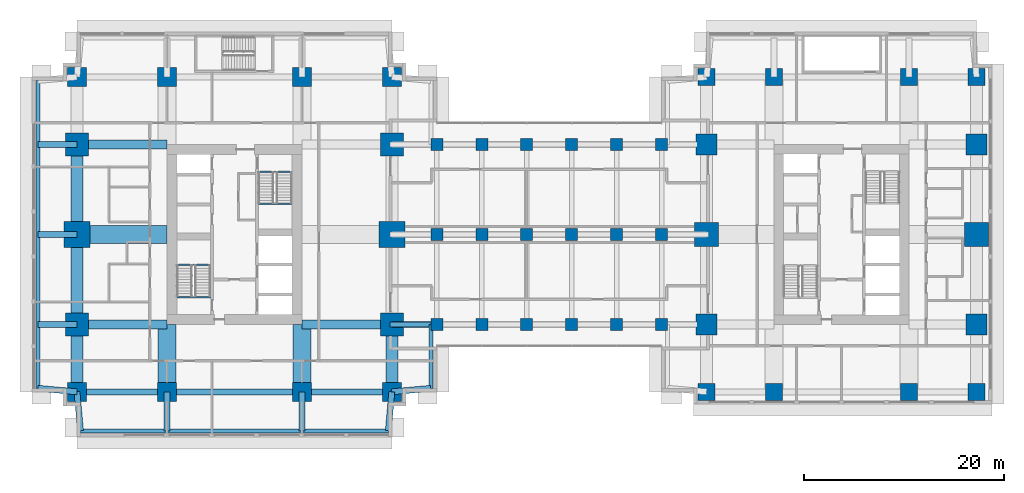
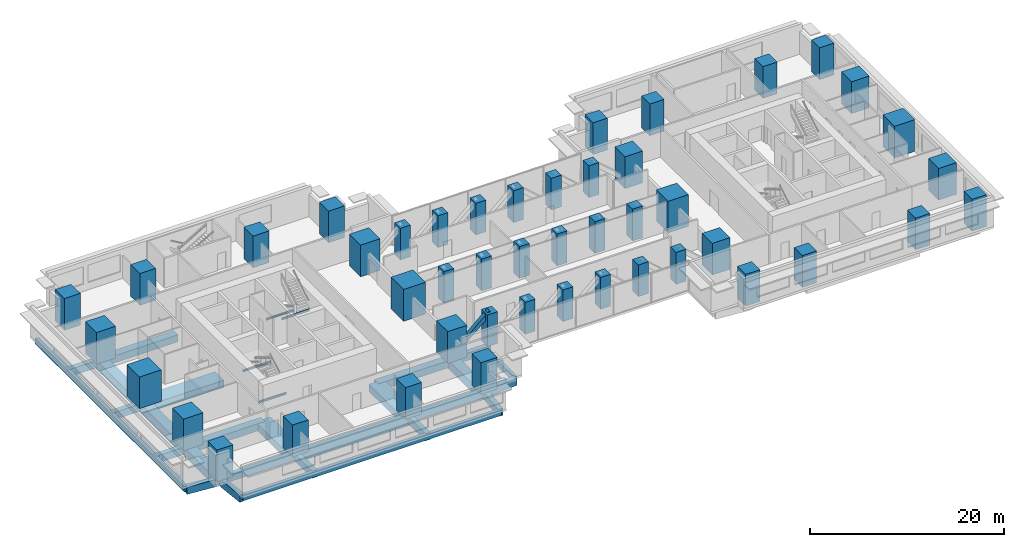
# One storey, part 1 of 14: 46 columns, 30 beams, 1 member.
"""IFC4 building model written with IfcOpenShell, lengths in metres."""

from ifc_helpers import new_model, si_unit, direction, frame, origin, origin_2d, place, context, subcontext, project, spatial, rectangle, hollow_rectangle, i_section, extrude, material, material_profile, profile_set, type_object, element, save


model = new_model("IFC4")

# Units and contexts
model_context = context("Model", 3, precision=1e-05, world=origin(), true_north=direction((0.0, 1.0)))
body_context = subcontext(model_context, "Body", "Model", "MODEL_VIEW")
ifc_project = project(units=[si_unit("LENGTHUNIT", "METRE"), si_unit("AREAUNIT", "SQUARE_METRE"), si_unit("VOLUMEUNIT", "CUBIC_METRE"), si_unit("PLANEANGLEUNIT", "RADIAN"), si_unit("MASSUNIT", "GRAM", prefix="KILO")], contexts=[model_context])

# Site, building, storey
site_placement = place(None, origin())
site = spatial("IfcSite", under=ifc_project, at=site_placement, CompositionType="ELEMENT")
building_placement = place(site_placement, origin())
building = spatial("IfcBuilding", under=site, at=building_placement, Name="Namib Vertical Campus", CompositionType="ELEMENT")
storey_placement = place(building_placement, frame((0.0, 0.0, 133.0)))
storey = spatial("IfcBuildingStorey", under=building, at=storey_placement, Name="L31", CompositionType="ELEMENT", Elevation=133.0)

# Columns
ifc_material_1 = material(Name="Concrete C60/75", Category="concrete")
ifc_material_profile_1 = material_profile(ifc_material_1, rectangle(XDim=1.199951171875, YDim=1.199951171875, at=origin_2d()))
ifc_profile_set_1 = profile_set([ifc_material_profile_1], Name="Concrete C60/75")
column_type_1 = type_object("IfcColumnType", Name="Bridge column RC 1200x1200", PredefinedType="COLUMN", material=ifc_profile_set_1)
for number, where, z_axis, x_axis, name in (
    (1, (40.5, 11.25, 0.0), (0.0, 0.0, 1.0), (1.0, 0.0, 0.0), "Column BC6 L31"),
    (2, (45.0, 11.25, 0.0), (0.0, 0.0, 1.0), (1.0, 0.0, 0.0), "Column BC6 L31"),
    (3, (49.5, 11.25, 0.0), (0.0, 0.0, 1.0), (1.0, 0.0, 0.0), "Column BC6 L31"),
    (4, (54.0, 11.25, 0.0), (0.0, 0.0, 1.0), (1.0, 0.0, 0.0), "Column BC6 L31"),
    (5, (58.5, 11.25, 0.0), (0.0, 0.0, 1.0), (1.0, 0.0, 0.0), "Column BC6 L31"),
    (6, (63.0, 11.25, 0.0), (0.0, 0.0, 1.0), (1.0, 0.0, 0.0), "Column BC6 L31"),
    (7, (40.5, 20.25, 0.0), (0.0, 0.0, 1.0), (1.0, 0.0, 0.0), "Column BC6 L31"),
    (8, (45.0, 20.25, 0.0), (0.0, 0.0, 1.0), (1.0, 0.0, 0.0), "Column BC6 L31"),
    (9, (49.5, 20.25, 0.0), (0.0, 0.0, 1.0), (1.0, 0.0, 0.0), "Column BC6 L31"),
    (10, (54.0, 20.25, 0.0), (0.0, 0.0, 1.0), (1.0, 0.0, 0.0), "Column BC6 L31"),
    (11, (58.5, 20.25, 0.0), (0.0, 0.0, 1.0), (1.0, 0.0, 0.0), "Column BC6 L31"),
    (12, (63.0, 20.25, 0.0), (0.0, 0.0, 1.0), (1.0, 0.0, 0.0), "Column BC6 L31"),
    (13, (40.5, 29.25, 0.0), (0.0, 0.0, 1.0), (1.0, 0.0, 0.0), "Column BC6 L31"),
    (14, (45.0, 29.25, 0.0), (0.0, 0.0, 1.0), (1.0, 0.0, 0.0), "Column BC6 L31"),
    (15, (49.5, 29.25, 0.0), (0.0, 0.0, 1.0), (1.0, 0.0, 0.0), "Column BC6 L31"),
    (16, (54.0, 29.25, 0.0), (0.0, 0.0, 1.0), (1.0, 0.0, 0.0), "Column BC6 L31"),
    (17, (58.5, 29.25, 0.0), (0.0, 0.0, 1.0), (1.0, 0.0, 0.0), "Column BC6 L31"),
    (18, (63.0, 29.25, 0.0), (0.0, 0.0, 1.0), (1.0, 0.0, 0.0), "Column BC6 L31"),
):
    element("IfcColumn", number, at=place(storey_placement, frame(where, z_axis=z_axis, x_axis=x_axis)), inside=storey, type_object=column_type_1, Name=name, PredefinedType="COLUMN", context=body_context, shape_type="SweptSolid", body=[
        extrude(rectangle(XDim=1.199951171875, YDim=1.199951171875, at=origin_2d()), origin(), (0.0, 0.0, 1.0), 4.0),
    ])
ifc_material_2 = material(Name="Concrete C60/75", Category="concrete")
ifc_material_profile_2 = material_profile(ifc_material_2, rectangle(XDim=1.699951171875, YDim=1.699951171875, at=origin_2d()))
ifc_profile_set_2 = profile_set([ifc_material_profile_2], Name="Concrete C60/75")
column_type_2 = type_object("IfcColumnType", Name="Column RC 1700x1700", PredefinedType="COLUMN", material=ifc_profile_set_2)
for number, where, z_axis, x_axis, name in (
    (19, (67.5, 4.5, 0.0), (0.0, 0.0, 1.0), (1.0, 0.0, 0.0), "Column C170 L31"),
    (20, (74.25, 4.5, 0.0), (0.0, 0.0, 1.0), (1.0, 0.0, 0.0), "Column C170 L31"),
    (21, (87.75, 4.5, 0.0), (0.0, 0.0, 1.0), (1.0, 0.0, 0.0), "Column C170 L31"),
    (22, (94.5, 4.5, 0.0), (0.0, 0.0, 1.0), (1.0, 0.0, 0.0), "Column C170 L31"),
    (23, (67.5, 36.0, 0.0), (0.0, 0.0, 1.0), (1.0, 0.0, 0.0), "Column C170 L31"),
    (24, (74.25, 36.0, 0.0), (0.0, 0.0, 1.0), (1.0, 0.0, 0.0), "Column C170 L31"),
    (25, (87.75, 36.0, 0.0), (0.0, 0.0, 1.0), (1.0, 0.0, 0.0), "Column C170 L31"),
    (26, (94.5, 36.0, 0.0), (0.0, 0.0, 1.0), (1.0, 0.0, 0.0), "Column C170 L31"),
):
    element("IfcColumn", number, at=place(storey_placement, frame(where, z_axis=z_axis, x_axis=x_axis)), inside=storey, type_object=column_type_2, Name=name, PredefinedType="COLUMN", context=body_context, shape_type="SweptSolid", body=[
        extrude(rectangle(XDim=1.699951171875, YDim=1.699951171875, at=origin_2d()), origin(), (0.0, 0.0, 1.0), 4.0),
    ])
ifc_material_3 = material(Name="Concrete C60/75", Category="concrete")
ifc_material_profile_3 = material_profile(ifc_material_3, rectangle(XDim=1.89990234375, YDim=1.89990234375, at=origin_2d()))
ifc_profile_set_3 = profile_set([ifc_material_profile_3], Name="Concrete C60/75")
column_type_3 = type_object("IfcColumnType", Name="Column RC 1900x1900", PredefinedType="COLUMN", material=ifc_profile_set_3)
for number, where, z_axis, x_axis, name in (
    (27, (4.5, 4.5, 0.0), (0.0, 0.0, 1.0), (1.0, 0.0, 0.0), "Column C190 L31"),
    (28, (13.5, 4.5, 0.0), (0.0, 0.0, 1.0), (1.0, 0.0, 0.0), "Column C190 L31"),
    (29, (27.0, 4.5, 0.0), (0.0, 0.0, 1.0), (1.0, 0.0, 0.0), "Column C190 L31"),
    (30, (36.0, 4.5, 0.0), (0.0, 0.0, 1.0), (1.0, 0.0, 0.0), "Column C190 L31"),
    (31, (4.5, 36.0, 0.0), (0.0, 0.0, 1.0), (1.0, 0.0, 0.0), "Column C190 L31"),
    (32, (13.5, 36.0, 0.0), (0.0, 0.0, 1.0), (1.0, 0.0, 0.0), "Column C190 L31"),
    (33, (27.0, 36.0, 0.0), (0.0, 0.0, 1.0), (1.0, 0.0, 0.0), "Column C190 L31"),
    (34, (36.0, 36.0, 0.0), (0.0, 0.0, 1.0), (1.0, 0.0, 0.0), "Column C190 L31"),
):
    element("IfcColumn", number, at=place(storey_placement, frame(where, z_axis=z_axis, x_axis=x_axis)), inside=storey, type_object=column_type_3, Name=name, PredefinedType="COLUMN", context=body_context, shape_type="SweptSolid", body=[
        extrude(rectangle(XDim=1.89990234375, YDim=1.89990234375, at=origin_2d()), origin(), (0.0, 0.0, 1.0), 4.0),
    ])
ifc_material_4 = material(Name="Concrete C60/75", Category="concrete")
ifc_material_profile_4 = material_profile(ifc_material_4, rectangle(XDim=2.10009765625, YDim=2.10009765625, at=origin_2d()))
ifc_profile_set_4 = profile_set([ifc_material_profile_4], Name="Concrete C60/75")
column_type_4 = type_object("IfcColumnType", Name="Column RC 2100x2100", PredefinedType="COLUMN", material=ifc_profile_set_4)
for number, where, z_axis, x_axis, name in (
    (35, (67.5, 11.25, 0.0), (0.0, 0.0, 1.0), (1.0, 0.0, 0.0), "Column C210 L31"),
    (36, (94.5, 11.25, 0.0), (0.0, 0.0, 1.0), (1.0, 0.0, 0.0), "Column C210 L31"),
    (37, (67.5, 29.25, 0.0), (0.0, 0.0, 1.0), (1.0, 0.0, 0.0), "Column C210 L31"),
    (38, (94.5, 29.25, 0.0), (0.0, 0.0, 1.0), (1.0, 0.0, 0.0), "Column C210 L31"),
):
    element("IfcColumn", number, at=place(storey_placement, frame(where, z_axis=z_axis, x_axis=x_axis)), inside=storey, type_object=column_type_4, Name=name, PredefinedType="COLUMN", context=body_context, shape_type="SweptSolid", body=[
        extrude(rectangle(XDim=2.10009765625, YDim=2.10009765625, at=origin_2d()), origin(), (0.0, 0.0, 1.0), 4.0),
    ])
ifc_material_5 = material(Name="Concrete C60/75", Category="concrete")
ifc_material_profile_5 = material_profile(ifc_material_5, rectangle(XDim=2.300048828125, YDim=2.300048828125, at=origin_2d()))
ifc_profile_set_5 = profile_set([ifc_material_profile_5], Name="Concrete C60/75")
column_type_5 = type_object("IfcColumnType", Name="Column RC 2300x2300", PredefinedType="COLUMN", material=ifc_profile_set_5)
for number, where, z_axis, x_axis, name in (
    (39, (4.5, 11.25, 0.0), (0.0, 0.0, 1.0), (1.0, 0.0, 0.0), "Column C230 L31"),
    (40, (36.0, 11.25, 0.0), (0.0, 0.0, 1.0), (1.0, 0.0, 0.0), "Column C230 L31"),
    (41, (4.5, 29.25, 0.0), (0.0, 0.0, 1.0), (1.0, 0.0, 0.0), "Column C230 L31"),
    (42, (36.0, 29.25, 0.0), (0.0, 0.0, 1.0), (1.0, 0.0, 0.0), "Column C230 L31"),
):
    element("IfcColumn", number, at=place(storey_placement, frame(where, z_axis=z_axis, x_axis=x_axis)), inside=storey, type_object=column_type_5, Name=name, PredefinedType="COLUMN", context=body_context, shape_type="SweptSolid", body=[
        extrude(rectangle(XDim=2.300048828125, YDim=2.300048828125, at=origin_2d()), origin(), (0.0, 0.0, 1.0), 4.0),
    ])
ifc_material_6 = material(Name="Concrete C60/75", Category="concrete")
ifc_material_profile_6 = material_profile(ifc_material_6, rectangle(XDim=2.39990234375, YDim=2.39990234375, at=origin_2d()))
ifc_profile_set_6 = profile_set([ifc_material_profile_6], Name="Concrete C60/75")
column_type_6 = type_object("IfcColumnType", Name="Column RC 2400x2400", PredefinedType="COLUMN", material=ifc_profile_set_6)
for number, where, z_axis, x_axis, name in (
    (43, (67.5, 20.25, 0.0), (0.0, 0.0, 1.0), (1.0, 0.0, 0.0), "Column C240 L31"),
    (44, (94.5, 20.25, 0.0), (0.0, 0.0, 1.0), (1.0, 0.0, 0.0), "Column C240 L31"),
):
    element("IfcColumn", number, at=place(storey_placement, frame(where, z_axis=z_axis, x_axis=x_axis)), inside=storey, type_object=column_type_6, Name=name, PredefinedType="COLUMN", context=body_context, shape_type="SweptSolid", body=[
        extrude(rectangle(XDim=2.39990234375, YDim=2.39990234375, at=origin_2d()), origin(), (0.0, 0.0, 1.0), 4.0),
    ])
ifc_material_7 = material(Name="Concrete C60/75", Category="concrete")
ifc_material_profile_7 = material_profile(ifc_material_7, rectangle(XDim=2.60009765625, YDim=2.60009765625, at=origin_2d()))
ifc_profile_set_7 = profile_set([ifc_material_profile_7], Name="Concrete C60/75")
column_type_7 = type_object("IfcColumnType", Name="Column RC 2600x2600", PredefinedType="COLUMN", material=ifc_profile_set_7)
for number, where, z_axis, x_axis, name in (
    (45, (4.5, 20.25, 0.0), (0.0, 0.0, 1.0), (1.0, 0.0, 0.0), "Column C260 L31"),
    (46, (36.0, 20.25, 0.0), (0.0, 0.0, 1.0), (1.0, 0.0, 0.0), "Column C260 L31"),
):
    element("IfcColumn", number, at=place(storey_placement, frame(where, z_axis=z_axis, x_axis=x_axis)), inside=storey, type_object=column_type_7, Name=name, PredefinedType="COLUMN", context=body_context, shape_type="SweptSolid", body=[
        extrude(rectangle(XDim=2.60009765625, YDim=2.60009765625, at=origin_2d()), origin(), (0.0, 0.0, 1.0), 4.0),
    ])

# Member
ifc_material_8 = material(Name="Steel S355JR", Category="steel")
ifc_material_profile_8 = material_profile(ifc_material_8, hollow_rectangle(XDim=0.5, YDim=0.5, WallThickness=0.031982421875, at=origin_2d()))
ifc_profile_set_8 = profile_set([ifc_material_profile_8], Name="Steel S355JR")
member_type = type_object("IfcMemberType", Name="Bridge end brace WB 500x500x32", PredefinedType="BRACE", material=ifc_profile_set_8)
member_placement = place(storey_placement, frame((36.0, 11.25, 0.0), z_axis=(0.747409318684, 0.0, 0.66436383883), x_axis=(0.0, 1.0, 0.0)))
element("IfcMember", 47, at=member_placement, inside=storey, type_object=member_type, Name="Bridge brace BX1 L31 T1 bay 1", PredefinedType="BRACE", context=body_context, shape_type="SweptSolid", body=[
    extrude(hollow_rectangle(XDim=0.5, YDim=0.5, WallThickness=0.031982421875, at=origin_2d()), origin(), (0.0, 0.0, 1.0), 6.020751953125),
])

# Beams
ifc_material_9 = material(Name="Steel S355JR", Category="steel")
ifc_material_profile_9 = material_profile(ifc_material_9, hollow_rectangle(XDim=0.60009765625, YDim=0.89990234375, WallThickness=0.050048828125, at=origin_2d()))
ifc_profile_set_9 = profile_set([ifc_material_profile_9], Name="Steel S355JR")
beam_type_1 = type_object("IfcBeamType", Name="Bridge girder WB 900x600x50", PredefinedType="BEAM", material=ifc_profile_set_9)
beam_1_placement = place(storey_placement, frame((36.0, 11.25, -0.699951171875), z_axis=(1.0, 0.0, 0.0), x_axis=(0.0, 1.0, 0.0)))
element("IfcBeam", 48, at=beam_1_placement, inside=storey, type_object=beam_type_1, Name="Bridge girder BG1 L31", PredefinedType="BEAM", context=body_context, shape_type="SweptSolid", body=[
    extrude(hollow_rectangle(XDim=0.60009765625, YDim=0.89990234375, WallThickness=0.050048828125, at=origin_2d()), origin(), (0.0, 0.0, 1.0), 4.5),
])
ifc_material_10 = material(Name="Concrete C40/50", Category="concrete")
ifc_material_profile_10 = material_profile(ifc_material_10, rectangle(XDim=0.60009765625, YDim=0.89990234375, at=origin_2d()))
ifc_profile_set_10 = profile_set([ifc_material_profile_10], Name="Concrete C40/50")
beam_type_2 = type_object("IfcBeamType", Name="Cantilever girder RC 600x900", PredefinedType="BEAM", material=ifc_profile_set_10)
beam_2_placement = place(storey_placement, frame((4.5, 4.5, -0.699951171875), z_axis=(0.089411326146, -0.995994786511, 0.0), x_axis=(0.995994786511, 0.089411326146, 0.0)))
element("IfcBeam", 49, at=beam_2_placement, inside=storey, type_object=beam_type_2, Name="Beam B3 L31", PredefinedType="BEAM", context=body_context, shape_type="SweptSolid", body=[
    extrude(rectangle(XDim=0.60009765625, YDim=0.89990234375, at=origin_2d()), origin(), (0.0, 0.0, 1.0), 3.91552734375),
])
for number, where, z_axis, x_axis, name in (
    (50, (13.5, 4.5, -0.699951171875), (0.0, -1.0, 0.0), (1.0, 0.0, 0.0), "Beam B3 L31"),
    (51, (27.0, 4.5, -0.699951171875), (0.0, -1.0, 0.0), (1.0, 0.0, 0.0), "Beam B3 L31"),
):
    element("IfcBeam", number, at=place(storey_placement, frame(where, z_axis=z_axis, x_axis=x_axis)), inside=storey, type_object=beam_type_2, Name=name, PredefinedType="BEAM", context=body_context, shape_type="SweptSolid", body=[
        extrude(rectangle(XDim=0.60009765625, YDim=0.89990234375, at=origin_2d()), origin(), (0.0, 0.0, 1.0), 3.89990234375),
    ])
for number, where, z_axis, x_axis, name in (
    (52, (36.0, 4.5, -0.699951171875), (-0.089411326146, -0.995994786511, 0.0), (0.995994786511, -0.089411326146, 0.0), "Beam B3 L31"),
    (53, (4.5, 4.5, -0.699951171875), (-0.995994786511, 0.089411326146, 0.0), (-0.089411326146, -0.995994786511, 0.0), "Beam B3 L31"),
):
    element("IfcBeam", number, at=place(storey_placement, frame(where, z_axis=z_axis, x_axis=x_axis)), inside=storey, type_object=beam_type_2, Name=name, PredefinedType="BEAM", context=body_context, shape_type="SweptSolid", body=[
        extrude(rectangle(XDim=0.60009765625, YDim=0.89990234375, at=origin_2d()), origin(), (0.0, 0.0, 1.0), 3.91552734375),
    ])
for number, where, z_axis, x_axis, name in (
    (54, (4.5, 11.25, -0.699951171875), (-1.0, 0.0, 0.0), (0.0, -1.0, 0.0), "Beam B3 L31"),
    (55, (4.5, 20.25, -0.699951171875), (-1.0, 0.0, 0.0), (0.0, -1.0, 0.0), "Beam B3 L31"),
    (56, (4.5, 29.25, -0.699951171875), (-1.0, 0.0, 0.0), (0.0, -1.0, 0.0), "Beam B3 L31"),
):
    element("IfcBeam", number, at=place(storey_placement, frame(where, z_axis=z_axis, x_axis=x_axis)), inside=storey, type_object=beam_type_2, Name=name, PredefinedType="BEAM", context=body_context, shape_type="SweptSolid", body=[
        extrude(rectangle(XDim=0.60009765625, YDim=0.89990234375, at=origin_2d()), origin(), (0.0, 0.0, 1.0), 3.89990234375),
    ])
beam_3_placement = place(storey_placement, frame((36.0, 4.5, -0.699951171875), z_axis=(0.995994786511, 0.089411326146, 0.0), x_axis=(-0.089411326146, 0.995994786511, 0.0)))
element("IfcBeam", 57, at=beam_3_placement, inside=storey, type_object=beam_type_2, Name="Beam B3 L31", PredefinedType="BEAM", context=body_context, shape_type="SweptSolid", body=[
    extrude(rectangle(XDim=0.60009765625, YDim=0.89990234375, at=origin_2d()), origin(), (0.0, 0.0, 1.0), 3.91552734375),
])
ifc_material_11 = material(Name="Concrete C40/50", Category="concrete")
ifc_material_profile_11 = material_profile(ifc_material_11, rectangle(XDim=0.39990234375, YDim=0.699951171875, at=origin_2d()))
ifc_profile_set_11 = profile_set([ifc_material_profile_11], Name="Concrete C40/50")
beam_type_3 = type_object("IfcBeamType", Name="Edge beam RC 400x700", PredefinedType="SPANDREL", material=ifc_profile_set_11)
for number, where, z_axis, x_axis, name in (
    (58, (4.85009765625, 0.60009765625, -0.60009765625), (1.0, 0.0, 0.0), (0.0, 1.0, 0.0), "Beam B4 L31"),
    (59, (0.60009765625, 4.85009765625, -0.60009765625), (0.0, 1.0, 0.0), (-1.0, 0.0, 0.0), "Beam B4 L31"),
):
    element("IfcBeam", number, at=place(storey_placement, frame(where, z_axis=z_axis, x_axis=x_axis)), inside=storey, type_object=beam_type_3, Name=name, PredefinedType="SPANDREL", context=body_context, shape_type="SweptSolid", body=[
        extrude(rectangle(XDim=0.39990234375, YDim=0.699951171875, at=origin_2d()), origin(), (0.0, 0.0, 1.0), 30.7998046875),
    ])
beam_4_placement = place(storey_placement, frame((39.89990234375, 4.85009765625, -0.60009765625), z_axis=(0.0, 1.0, 0.0), x_axis=(-1.0, 0.0, 0.0)))
element("IfcBeam", 60, at=beam_4_placement, inside=storey, type_object=beam_type_3, Name="Beam B4 L31", PredefinedType="SPANDREL", context=body_context, shape_type="SweptSolid", body=[
    extrude(rectangle(XDim=0.39990234375, YDim=0.699951171875, at=origin_2d()), origin(), (0.0, 0.0, 1.0), 6.39990234375),
])
ifc_material_12 = material(Name="Concrete C40/50", Category="concrete")
ifc_material_profile_12 = material_profile(ifc_material_12, rectangle(XDim=0.89990234375, YDim=0.89990234375, at=origin_2d()))
ifc_profile_set_12 = profile_set([ifc_material_profile_12], Name="Concrete C40/50")
beam_type_4 = type_object("IfcBeamType", Name="Face girder RC 900x900", PredefinedType="BEAM", material=ifc_profile_set_12)
for number, where, z_axis, x_axis, name in (
    (61, (4.5, 11.25, -0.699951171875), (1.0, 0.0, 0.0), (0.0, 1.0, 0.0), "Beam B10 L31"),
    (62, (36.0, 11.25, -0.699951171875), (-1.0, 0.0, 0.0), (0.0, -1.0, 0.0), "Beam B10 L31"),
    (63, (4.5, 29.25, -0.699951171875), (1.0, 0.0, 0.0), (0.0, 1.0, 0.0), "Beam B10 L31"),
):
    element("IfcBeam", number, at=place(storey_placement, frame(where, z_axis=z_axis, x_axis=x_axis)), inside=storey, type_object=beam_type_4, Name=name, PredefinedType="BEAM", context=body_context, shape_type="SweptSolid", body=[
        extrude(rectangle(XDim=0.89990234375, YDim=0.89990234375, at=origin_2d()), origin(), (0.0, 0.0, 1.0), 9.0),
    ])
ifc_material_13 = material(Name="Concrete C40/50", Category="concrete")
ifc_material_profile_13 = material_profile(ifc_material_13, rectangle(XDim=1.199951171875, YDim=1.10009765625, at=origin_2d()))
ifc_profile_set_13 = profile_set([ifc_material_profile_13], Name="Concrete C40/50")
beam_type_5 = type_object("IfcBeamType", Name="Face ring beam RC 1200x1100", PredefinedType="BEAM", material=ifc_profile_set_13)
beam_5_placement = place(storey_placement, frame((4.5, 4.5, -0.800048828125), z_axis=(0.0, 1.0, 0.0), x_axis=(-1.0, 0.0, 0.0)))
element("IfcBeam", 64, at=beam_5_placement, inside=storey, type_object=beam_type_5, Name="Beam B11 L31", PredefinedType="BEAM", context=body_context, shape_type="SweptSolid", body=[
    extrude(rectangle(XDim=1.199951171875, YDim=1.10009765625, at=origin_2d()), origin(), (0.0, 0.0, 1.0), 6.75),
])
for number, where, z_axis, x_axis, name in (
    (65, (4.5, 11.25, -0.800048828125), (0.0, 1.0, 0.0), (-1.0, 0.0, 0.0), "Beam B11 L31"),
    (66, (4.5, 20.25, -0.800048828125), (0.0, 1.0, 0.0), (-1.0, 0.0, 0.0), "Beam B11 L31"),
):
    element("IfcBeam", number, at=place(storey_placement, frame(where, z_axis=z_axis, x_axis=x_axis)), inside=storey, type_object=beam_type_5, Name=name, PredefinedType="BEAM", context=body_context, shape_type="SweptSolid", body=[
        extrude(rectangle(XDim=1.199951171875, YDim=1.10009765625, at=origin_2d()), origin(), (0.0, 0.0, 1.0), 9.0),
    ])
beam_6_placement = place(storey_placement, frame((36.0, 4.5, -0.800048828125), z_axis=(0.0, 1.0, 0.0), x_axis=(-1.0, 0.0, 0.0)))
element("IfcBeam", 67, at=beam_6_placement, inside=storey, type_object=beam_type_5, Name="Beam B11 L31", PredefinedType="BEAM", context=body_context, shape_type="SweptSolid", body=[
    extrude(rectangle(XDim=1.199951171875, YDim=1.10009765625, at=origin_2d()), origin(), (0.0, 0.0, 1.0), 6.75),
])
ifc_material_14 = material(Name="Steel S355JR", Category="steel")
ifc_material_profile_14 = material_profile(ifc_material_14, i_section(OverallWidth=0.14599609375, OverallDepth=0.25146484375, WebThickness=0.006103515625, FlangeThickness=0.008544921875, FilletRadius=0.007568359375, at=origin_2d()))
ifc_profile_set_14 = profile_set([ifc_material_profile_14], Name="Steel S355JR")
beam_type_6 = type_object("IfcBeamType", Name="Landing trimmer UB 254x146x31", PredefinedType="BEAM", material=ifc_profile_set_14)
for number, where, z_axis, x_axis, name in (
    (68, (14.5, 13.97705078125, -0.125732421875), (1.0, 0.0, 0.0), (0.0, 1.0, 0.0), "Landing trimmer LT1 A-S1 L31 1"),
    (69, (14.5, 17.203125, 1.874267578125), (1.0, 0.0, 0.0), (0.0, 1.0, 0.0), "Landing trimmer LT1 A-S1 L31 2"),
    (70, (22.64990234375, 26.52294921875, -0.125732421875), (1.0, 0.0, 0.0), (0.0, 1.0, 0.0), "Landing trimmer LT1 A-S2 L31 1"),
    (71, (22.64990234375, 23.296875, 1.874267578125), (1.0, 0.0, 0.0), (0.0, 1.0, 0.0), "Landing trimmer LT1 A-S2 L31 2"),
):
    element("IfcBeam", number, at=place(storey_placement, frame(where, z_axis=z_axis, x_axis=x_axis)), inside=storey, type_object=beam_type_6, Name=name, PredefinedType="BEAM", context=body_context, shape_type="SweptSolid", body=[
        extrude(i_section(OverallWidth=0.14599609375, OverallDepth=0.25146484375, WebThickness=0.006103515625, FlangeThickness=0.008544921875, FilletRadius=0.007568359375, at=origin_2d()), origin(), (0.0, 0.0, 1.0), 3.35009765625),
    ])
ifc_material_15 = material(Name="Concrete C40/50", Category="concrete")
ifc_material_profile_15 = material_profile(ifc_material_15, rectangle(XDim=0.60009765625, YDim=1.199951171875, at=origin_2d()))
ifc_profile_set_15 = profile_set([ifc_material_profile_15], Name="Concrete C40/50")
beam_type_7 = type_object("IfcBeamType", Name="Long-span ring beam RC 600x1200", PredefinedType="BEAM", material=ifc_profile_set_15)
beam_7_placement = place(storey_placement, frame((13.5, 4.5, -0.85009765625), z_axis=(1.0, 0.0, 0.0), x_axis=(0.0, 1.0, 0.0)))
element("IfcBeam", 72, at=beam_7_placement, inside=storey, type_object=beam_type_7, Name="Beam B9 L31", PredefinedType="BEAM", context=body_context, shape_type="SweptSolid", body=[
    extrude(rectangle(XDim=0.60009765625, YDim=1.199951171875, at=origin_2d()), origin(), (0.0, 0.0, 1.0), 13.5),
])
ifc_material_16 = material(Name="Concrete C40/50", Category="concrete")
ifc_material_profile_16 = material_profile(ifc_material_16, rectangle(XDim=1.800048828125, YDim=0.89990234375, at=origin_2d()))
ifc_profile_set_16 = profile_set([ifc_material_profile_16], Name="Concrete C40/50")
beam_type_8 = type_object("IfcBeamType", Name="Outrigger line girder RC 1800x900", PredefinedType="BEAM", material=ifc_profile_set_16)
for number, where, z_axis, x_axis, name in (
    (73, (13.5, 4.5, -0.699951171875), (0.0, 1.0, 0.0), (-1.0, 0.0, 0.0), "Beam B12 L31"),
    (74, (27.0, 4.5, -0.699951171875), (0.0, 1.0, 0.0), (-1.0, 0.0, 0.0), "Beam B12 L31"),
):
    element("IfcBeam", number, at=place(storey_placement, frame(where, z_axis=z_axis, x_axis=x_axis)), inside=storey, type_object=beam_type_8, Name=name, PredefinedType="BEAM", context=body_context, shape_type="SweptSolid", body=[
        extrude(rectangle(XDim=1.800048828125, YDim=0.89990234375, at=origin_2d()), origin(), (0.0, 0.0, 1.0), 6.75),
    ])
beam_8_placement = place(storey_placement, frame((4.5, 20.25, -0.699951171875), z_axis=(1.0, 0.0, 0.0), x_axis=(0.0, 1.0, 0.0)))
element("IfcBeam", 75, at=beam_8_placement, inside=storey, type_object=beam_type_8, Name="Beam B12 L31", PredefinedType="BEAM", context=body_context, shape_type="SweptSolid", body=[
    extrude(rectangle(XDim=1.800048828125, YDim=0.89990234375, at=origin_2d()), origin(), (0.0, 0.0, 1.0), 9.0),
])
ifc_material_17 = material(Name="Concrete C40/50", Category="concrete")
ifc_material_profile_17 = material_profile(ifc_material_17, rectangle(XDim=0.60009765625, YDim=0.800048828125, at=origin_2d()))
ifc_profile_set_17 = profile_set([ifc_material_profile_17], Name="Concrete C40/50")
beam_type_9 = type_object("IfcBeamType", Name="Ring beam RC 600x800", PredefinedType="BEAM", material=ifc_profile_set_17)
for number, where, z_axis, x_axis, name in (
    (76, (4.5, 4.5, -0.64990234375), (1.0, 0.0, 0.0), (0.0, 1.0, 0.0), "Beam B1 L31"),
    (77, (27.0, 4.5, -0.64990234375), (1.0, 0.0, 0.0), (0.0, 1.0, 0.0), "Beam B1 L31"),
):
    element("IfcBeam", number, at=place(storey_placement, frame(where, z_axis=z_axis, x_axis=x_axis)), inside=storey, type_object=beam_type_9, Name=name, PredefinedType="BEAM", context=body_context, shape_type="SweptSolid", body=[
        extrude(rectangle(XDim=0.60009765625, YDim=0.800048828125, at=origin_2d()), origin(), (0.0, 0.0, 1.0), 9.0),
    ])

save(model, "model.ifc")
